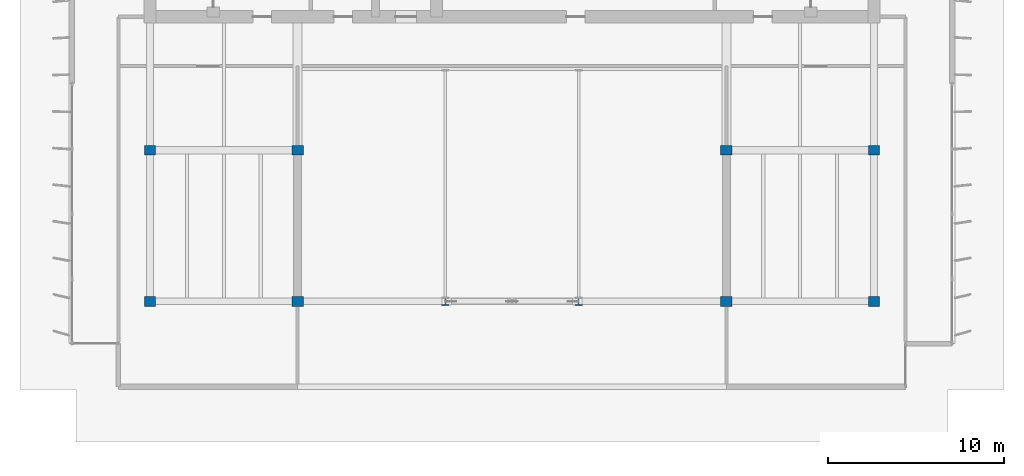
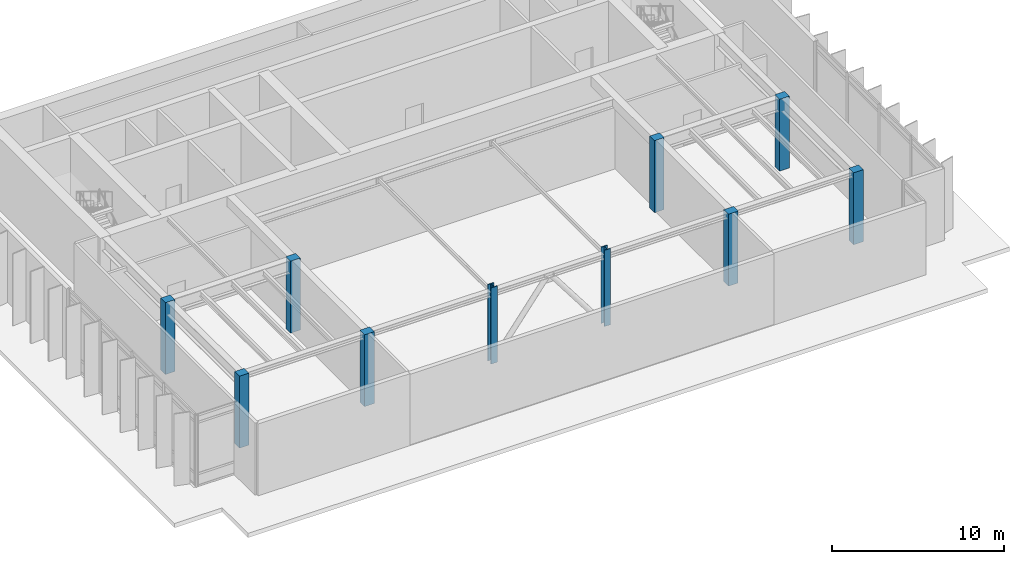
# One storey, part 1 of 10: 10 columns.
"""IFC4 building model written with IfcOpenShell, lengths in metres."""

from ifc_helpers import new_model, si_unit, direction, frame, origin, origin_2d, place, context, subcontext, project, spatial, rectangle, i_section, extrude, material, material_profile, profile_set, type_object, element, save


model = new_model("IFC4")

# Units and contexts
model_context = context("Model", 3, precision=1e-05, world=origin(), true_north=direction((0.0, 1.0)))
body_context = subcontext(model_context, "Body", "Model", "MODEL_VIEW")
ifc_project = project(units=[si_unit("LENGTHUNIT", "METRE"), si_unit("AREAUNIT", "SQUARE_METRE"), si_unit("VOLUMEUNIT", "CUBIC_METRE"), si_unit("PLANEANGLEUNIT", "RADIAN"), si_unit("MASSUNIT", "GRAM", prefix="KILO")], contexts=[model_context])

# Site, building, storey
site_placement = place(None, origin())
site = spatial("IfcSite", under=ifc_project, at=site_placement, CompositionType="ELEMENT")
building_placement = place(site_placement, origin())
building = spatial("IfcBuilding", under=site, at=building_placement, Name="Caelmar Bay Residences", CompositionType="ELEMENT")
storey_placement = place(building_placement, frame((0.0, 0.0, 279.39990234375)))
storey = spatial("IfcBuildingStorey", under=building, at=storey_placement, Name="L78", CompositionType="ELEMENT", Elevation=279.39990234375)

# Columns
ifc_material_1 = material(Name="Concrete f'c 55 MPa (8,000 psi)", Category="concrete")
ifc_material_profile_1 = material_profile(ifc_material_1, rectangle(XDim=0.64990234375, YDim=0.550048828125, at=origin_2d()), Name="RC-COL-650X550")
ifc_profile_set_1 = profile_set([ifc_material_profile_1], Name="Concrete f'c 55 MPa (8,000 psi)")
column_type_1 = type_object("IfcColumnType", Name="COL-RC-650X550", PredefinedType="COLUMN", material=ifc_profile_set_1)
for number, where, z_axis, x_axis, name in (
    (1, (18.300048828125, 20.800048828125, 0.0), (0.0, 0.0, 1.0), (1.0, 0.0, 0.0), "L78 Column (18.30,20.80)"),
    (2, (26.699951171875, 20.800048828125, 0.0), (0.0, 0.0, 1.0), (1.0, 0.0, 0.0), "L78 Column (26.70,20.80)"),
    (3, (51.10009765625, 20.800048828125, 0.0), (0.0, 0.0, 1.0), (1.0, 0.0, 0.0), "L78 Column (51.10,20.80)"),
    (4, (59.5, 20.800048828125, 0.0), (0.0, 0.0, 1.0), (1.0, 0.0, 0.0), "L78 Column (59.50,20.80)"),
    (5, (18.300048828125, 29.39990234375, 0.0), (0.0, 0.0, 1.0), (1.0, 0.0, 0.0), "L78 Column (18.30,29.40)"),
    (6, (26.699951171875, 29.39990234375, 0.0), (0.0, 0.0, 1.0), (1.0, 0.0, 0.0), "L78 Column (26.70,29.40)"),
    (7, (51.10009765625, 29.39990234375, 0.0), (0.0, 0.0, 1.0), (1.0, 0.0, 0.0), "L78 Column (51.10,29.40)"),
    (8, (59.5, 29.39990234375, 0.0), (0.0, 0.0, 1.0), (1.0, 0.0, 0.0), "L78 Column (59.50,29.40)"),
):
    element("IfcColumn", number, at=place(storey_placement, frame(where, z_axis=z_axis, x_axis=x_axis)), inside=storey, type_object=column_type_1, Name=name, PredefinedType="COLUMN", context=body_context, shape_type="SweptSolid", body=[
        extrude(rectangle(XDim=0.64990234375, YDim=0.550048828125, at=origin_2d()), origin(), (0.0, 0.0, 1.0), 5.10009765625),
    ])
ifc_material_2 = material(Name="Steel ASTM A992 Grade 50", Category="steel")
ifc_material_profile_2 = material_profile(ifc_material_2, i_section(OverallWidth=0.410888671875, OverallDepth=0.43408203125, WebThickness=0.035888671875, FlangeThickness=0.057373046875, FilletRadius=0.01513671875, at=origin_2d()), Name="W14X311")
ifc_profile_set_2 = profile_set([ifc_material_profile_2], Name="Steel ASTM A992 Grade 50")
column_type_2 = type_object("IfcColumnType", Name="COL-STL-W14X311", PredefinedType="COLUMN", material=ifc_profile_set_2)
for number, where, z_axis, x_axis, name in (
    (9, (35.10009765625, 20.800048828125, 0.0), (0.0, 0.0, 1.0), (1.0, 0.0, 0.0), "L78 Venturi Portal Steel Column X=35.10"),
    (10, (42.699951171875, 20.800048828125, 0.0), (0.0, 0.0, 1.0), (1.0, 0.0, 0.0), "L78 Venturi Portal Steel Column X=42.70"),
):
    element("IfcColumn", number, at=place(storey_placement, frame(where, z_axis=z_axis, x_axis=x_axis)), inside=storey, type_object=column_type_2, Name=name, PredefinedType="COLUMN", context=body_context, shape_type="SweptSolid", body=[
        extrude(i_section(OverallWidth=0.410888671875, OverallDepth=0.43408203125, WebThickness=0.035888671875, FlangeThickness=0.057373046875, FilletRadius=0.01513671875, at=origin_2d()), origin(), (0.0, 0.0, 1.0), 5.400146484375),
    ])

save(model, "model.ifc")
